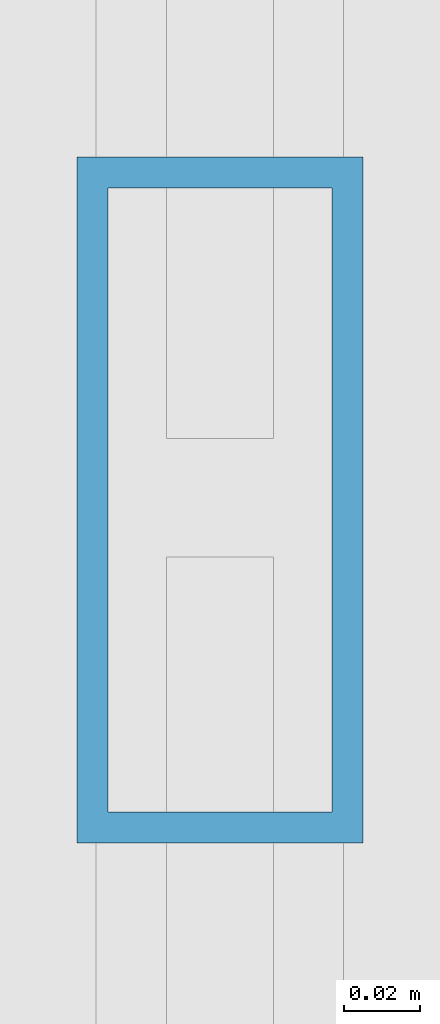
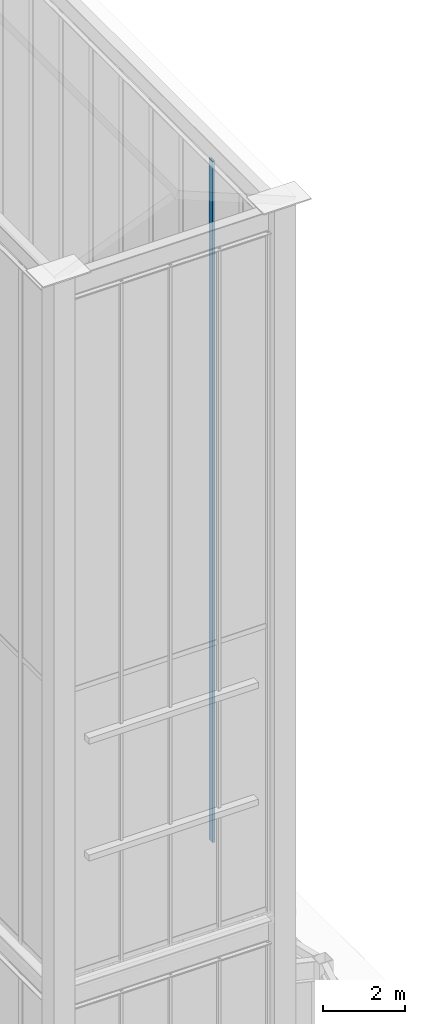
# One storey, part 50 of 135: 1 member, 1 element without a shape of its own.
"""IFC4 building model written with IfcOpenShell, lengths in metres."""

from ifc_helpers import new_model, si_unit, direction, frame, origin, origin_2d, place, context, subcontext, project, spatial, hollow_rectangle, extrude, source, transform, mapped, material, layer, layer_set, material_profile, profile_set, type_object, element, aggregate, save


model = new_model("IFC4")

# Units and contexts
model_context = context("Model", 3, precision=1e-05, world=origin(), true_north=direction((0.0, 1.0)))
body_context = subcontext(model_context, "Body", "Model", "MODEL_VIEW")
ifc_project = project(units=[si_unit("LENGTHUNIT", "METRE"), si_unit("AREAUNIT", "SQUARE_METRE"), si_unit("VOLUMEUNIT", "CUBIC_METRE"), si_unit("PLANEANGLEUNIT", "RADIAN"), si_unit("MASSUNIT", "GRAM", prefix="KILO")], contexts=[model_context])

# Site, building, storey
site_placement = place(None, origin())
site = spatial("IfcSite", under=ifc_project, at=site_placement, CompositionType="ELEMENT")
building_placement = place(site_placement, origin())
building = spatial("IfcBuilding", under=site, at=building_placement, Name="Giltprow Tower", CompositionType="ELEMENT")
storey_placement = place(building_placement, frame((0.0, 0.0, 352.699951171875)))
storey = spatial("IfcBuildingStorey", under=building, at=storey_placement, Name="L92", CompositionType="ELEMENT", Elevation=352.699951171875)

# Curtain wall, member
ifc_material = material(Name="Anodized bronze", Category="metal")
ifc_layer = layer(ifc_material, 0.179931640625, Name="Anodized bronze")
ifc_layer_set = layer_set([ifc_layer], Name="Anodized bronze")
curtain_wall_type = type_object("IfcCurtainWallType", Name="CW-CROWN-LANTERN", PredefinedType="NOTDEFINED", material=ifc_layer_set)
curtain_wall_placement = place(storey_placement, origin())
curtain_wall = element("IfcCurtainWall", 1, at=curtain_wall_placement, inside=storey, type_object=curtain_wall_type, Name="Crown East Upper Lantern Glazing 2", PredefinedType="NOTDEFINED")
ifc_material_profile = material_profile(ifc_material, hollow_rectangle(XDim=0.074951171875, YDim=0.179931640625, WallThickness=0.008056640625, at=origin_2d()), Name="RHS 180x75x8")
ifc_profile_set = profile_set([ifc_material_profile], Name="Anodized bronze")
member_type = type_object("IfcMemberType", Name="CW-MULLION-180x75", PredefinedType="MULLION", material=ifc_profile_set)
shared_shape = source(origin(), body_context, "Body", "SweptSolid", [
    extrude(hollow_rectangle(XDim=0.074951171875, YDim=0.179931640625, WallThickness=0.008056640625, at=origin_2d()), origin(), (0.0, 0.0, 1.0), 20.406005859375),
])
member_placement = place(storey_placement, frame((50.550048828125, 26.7939453125, 17.25), z_axis=(0.0, 0.0, 1.0), x_axis=(1.0, 0.0, 0.0)))
member = element("IfcMember", 2, at=member_placement, type_object=member_type, Name="Crown East Upper Lantern Glazing 2 Mullion 3", PredefinedType="MULLION", context=body_context, shape_type="MappedRepresentation", body=[
    mapped(shared_shape, transform((0.0, 0.0, 0.0), x_axis=(1.0, 0.0, 0.0), y_axis=(0.0, 1.0, 0.0), z_axis=(0.0, 0.0, 1.0), scale=1.0)),
])
aggregate(curtain_wall, [member])

save(model, "model.ifc")
